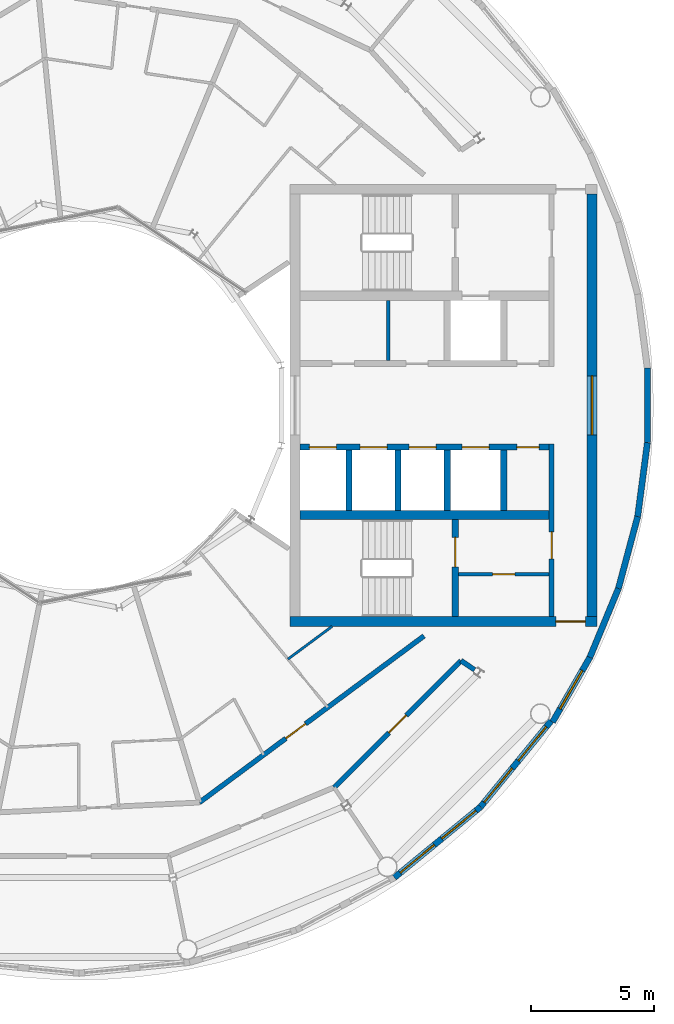
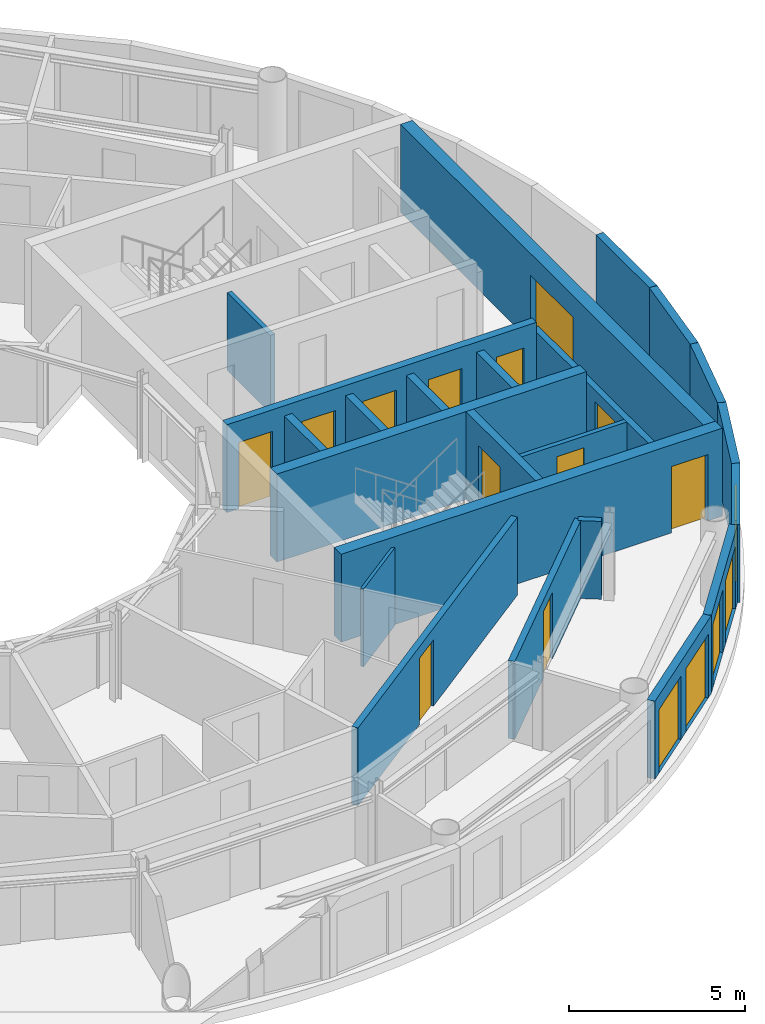
# One storey, part 11 of 17: 23 walls, 15 doors, 2 windows, 17 openings.
"""IFC4 building model written with IfcOpenShell, lengths in metres."""

from ifc_helpers import new_model, si_unit, direction, frame, frame_2d, origin, place, context, subcontext, project, spatial, rectangle, extrude, material, layer, layer_set, type_object, element, fill, save


model = new_model("IFC4")

# Units and contexts
model_context = context("Model", 3, precision=1e-05, world=origin(), true_north=direction((0.0, 1.0)))
body_context = subcontext(model_context, "Body", "Model", "MODEL_VIEW")
ifc_project = project(units=[si_unit("LENGTHUNIT", "METRE"), si_unit("AREAUNIT", "SQUARE_METRE"), si_unit("VOLUMEUNIT", "CUBIC_METRE"), si_unit("PLANEANGLEUNIT", "RADIAN"), si_unit("MASSUNIT", "GRAM", prefix="KILO")], contexts=[model_context])

# Site, building, storey
site_placement = place(None, origin())
site = spatial("IfcSite", under=ifc_project, at=site_placement, CompositionType="ELEMENT")
building_placement = place(site_placement, origin())
building = spatial("IfcBuilding", under=site, at=building_placement, Name="Maasbend Ring Residences", CompositionType="ELEMENT")
storey_placement = place(building_placement, frame((0.0, 0.0, 249.300048828125)))
storey = spatial("IfcBuildingStorey", under=building, at=storey_placement, Name="L72", CompositionType="ELEMENT", Elevation=249.300048828125)

# Wall, openings, doors
ifc_material_1 = material(Name="Concrete C50/60", Category="concrete")
ifc_layer_1 = layer(ifc_material_1, 0.25)
ifc_layer_set_1 = layer_set([ifc_layer_1], Name="Concrete C50/60")
wall_type_1 = type_object("IfcWallType", Name="CORE WALL 250 C50/60", PredefinedType="SHEAR", material=ifc_layer_set_1)
wall_1_placement = place(storey_placement, frame((19.14990234375, -1.699951171875, 0.0), z_axis=(0.0, 0.0, 1.0), x_axis=(-1.0, 0.0, 0.0)))
wall_1 = element("IfcWall", 1, at=wall_1_placement, inside=storey, type_object=wall_type_1, Name="L72 core E wall SPS", PredefinedType="SHEAR", context=body_context, shape_type="SweptSolid", body=[
    extrude(rectangle(XDim=10.14990234375, YDim=0.25, at=frame_2d((5.074951171875, 0.0))), origin(), (0.0, 0.0, 1.0), 3.050048828125),
])
opening_1_placement = place(wall_1_placement, frame((8.66259765625, 0.0, 0.0)))
opening_1 = element("IfcOpeningElement", 2, at=opening_1_placement, cuts=wall_1, Name="Opening LD-E7202", PredefinedType="OPENING", context=body_context, shape_type="SweptSolid", body=[
    extrude(rectangle(XDim=1.10009765625, YDim=2.300048828125, at=frame_2d((0.550048828125, 1.14990234375))), frame((0.0, 0.135009765625, 0.0), z_axis=(0.0, -1.0, 0.0), x_axis=(1.0, 0.0, 0.0)), (0.0, 0.0, 1.0), 0.27001953125),
])
opening_2_placement = place(wall_1_placement, frame((6.60009765625, 0.0, 0.0)))
opening_2 = element("IfcOpeningElement", 3, at=opening_2_placement, cuts=wall_1, Name="Opening LD-E7203", PredefinedType="OPENING", context=body_context, shape_type="SweptSolid", body=[
    extrude(rectangle(XDim=1.10009765625, YDim=2.300048828125, at=frame_2d((0.550048828125, 1.14990234375))), frame((0.0, 0.135009765625, 0.0), z_axis=(0.0, -1.0, 0.0), x_axis=(1.0, 0.0, 0.0)), (0.0, 0.0, 1.0), 0.27001953125),
])
opening_3_placement = place(wall_1_placement, frame((4.60009765625, 0.0, 0.0)))
opening_3 = element("IfcOpeningElement", 4, at=opening_3_placement, cuts=wall_1, Name="Opening LD-E7204", PredefinedType="OPENING", context=body_context, shape_type="SweptSolid", body=[
    extrude(rectangle(XDim=1.10009765625, YDim=2.300048828125, at=frame_2d((0.550048828125, 1.14990234375))), frame((0.0, 0.135009765625, 0.0), z_axis=(0.0, -1.0, 0.0), x_axis=(1.0, 0.0, 0.0)), (0.0, 0.0, 1.0), 0.27001953125),
])
opening_4_placement = place(wall_1_placement, frame((2.449951171875, 0.0, 0.0)))
opening_4 = element("IfcOpeningElement", 5, at=opening_4_placement, cuts=wall_1, Name="Opening LD-E7205", PredefinedType="OPENING", context=body_context, shape_type="SweptSolid", body=[
    extrude(rectangle(XDim=1.10009765625, YDim=2.300048828125, at=frame_2d((0.550048828125, 1.14990234375))), frame((0.0, 0.135009765625, 0.0), z_axis=(0.0, -1.0, 0.0), x_axis=(1.0, 0.0, 0.0)), (0.0, 0.0, 1.0), 0.27001953125),
])
opening_5_placement = place(wall_1_placement, frame((0.41259765625, 0.0, 0.0)))
opening_5 = element("IfcOpeningElement", 6, at=opening_5_placement, cuts=wall_1, Name="Opening D-E7209", PredefinedType="OPENING", context=body_context, shape_type="SweptSolid", body=[
    extrude(rectangle(XDim=0.89990234375, YDim=2.300048828125, at=frame_2d((0.449951171875, 1.14990234375))), frame((0.0, 0.135009765625, 0.0), z_axis=(0.0, -1.0, 0.0), x_axis=(1.0, 0.0, 0.0)), (0.0, 0.0, 1.0), 0.27001953125),
])
ifc_material_2 = material(Name="Stainless steel 316", Category="steel")
door_type_1 = type_object("IfcDoorType", Name="LANDING DOOR 1100 X 2300 FD60", OperationType="DOUBLE_DOOR_SLIDING", PredefinedType="DOOR", material=ifc_material_2)
door_1_placement = place(opening_1_placement, origin())
door_1 = element("IfcDoor", 7, at=door_1_placement, inside=storey, type_object=door_type_1, Name="Landing door HR-E1 L72", OperationType="DOUBLE_DOOR_SLIDING", OverallHeight=2.300048828125, OverallWidth=1.10009765625, PredefinedType="DOOR", context=body_context, shape_type="SweptSolid", body=[
    extrude(rectangle(XDim=1.10009765625, YDim=2.300048828125, at=frame_2d((0.550048828125, 1.14990234375))), frame((0.0, 0.02490234375, 0.0), z_axis=(0.0, -1.0, 0.0), x_axis=(1.0, 0.0, 0.0)), (0.0, 0.0, 1.0), 0.050048828125),
])
fill(opening_1, door_1)
door_2_placement = place(opening_2_placement, origin())
door_2 = element("IfcDoor", 8, at=door_2_placement, inside=storey, type_object=door_type_1, Name="Landing door HR-E2 L72", OperationType="DOUBLE_DOOR_SLIDING", OverallHeight=2.300048828125, OverallWidth=1.10009765625, PredefinedType="DOOR", context=body_context, shape_type="SweptSolid", body=[
    extrude(rectangle(XDim=1.10009765625, YDim=2.300048828125, at=frame_2d((0.550048828125, 1.14990234375))), frame((0.0, 0.02490234375, 0.0), z_axis=(0.0, -1.0, 0.0), x_axis=(1.0, 0.0, 0.0)), (0.0, 0.0, 1.0), 0.050048828125),
])
fill(opening_2, door_2)
door_3_placement = place(opening_3_placement, origin())
door_3 = element("IfcDoor", 9, at=door_3_placement, inside=storey, type_object=door_type_1, Name="Landing door HR-E3 L72", OperationType="DOUBLE_DOOR_SLIDING", OverallHeight=2.300048828125, OverallWidth=1.10009765625, PredefinedType="DOOR", context=body_context, shape_type="SweptSolid", body=[
    extrude(rectangle(XDim=1.10009765625, YDim=2.300048828125, at=frame_2d((0.550048828125, 1.14990234375))), frame((0.0, 0.02490234375, 0.0), z_axis=(0.0, -1.0, 0.0), x_axis=(1.0, 0.0, 0.0)), (0.0, 0.0, 1.0), 0.050048828125),
])
fill(opening_3, door_3)
door_4_placement = place(opening_4_placement, origin())
door_4 = element("IfcDoor", 10, at=door_4_placement, inside=storey, type_object=door_type_1, Name="Landing door SV-E L72", OperationType="DOUBLE_DOOR_SLIDING", OverallHeight=2.300048828125, OverallWidth=1.10009765625, PredefinedType="DOOR", context=body_context, shape_type="SweptSolid", body=[
    extrude(rectangle(XDim=1.10009765625, YDim=2.300048828125, at=frame_2d((0.550048828125, 1.14990234375))), frame((0.0, 0.02490234375, 0.0), z_axis=(0.0, -1.0, 0.0), x_axis=(1.0, 0.0, 0.0)), (0.0, 0.0, 1.0), 0.050048828125),
])
fill(opening_4, door_4)
ifc_material_3 = material(Name="Steel, powder coated", Category="steel")
door_type_2 = type_object("IfcDoorType", Name="ROOM DOOR 900 X 2300 FD30S", OperationType="NOTDEFINED", PredefinedType="DOOR", material=ifc_material_3)
door_5_placement = place(opening_5_placement, origin())
door_5 = element("IfcDoor", 11, at=door_5_placement, inside=storey, type_object=door_type_2, Name="Room door L72", OperationType="SINGLE_SWING_RIGHT", OverallHeight=2.300048828125, OverallWidth=0.89990234375, PredefinedType="DOOR", context=body_context, shape_type="SweptSolid", body=[
    extrude(rectangle(XDim=0.89990234375, YDim=2.300048828125, at=frame_2d((0.449951171875, 1.14990234375))), frame((0.0, 0.02490234375, 0.0), z_axis=(0.0, -1.0, 0.0), x_axis=(1.0, 0.0, 0.0)), (0.0, 0.0, 1.0), 0.050048828125),
])
fill(opening_5, door_5)

# Wall, opening, door
wall_2_placement = place(storey_placement, frame((15.324951171875, -8.60009765625, 0.0), z_axis=(0.0, 0.0, 1.0), x_axis=(0.0, 1.0, 0.0)))
wall_2 = element("IfcWall", 12, at=wall_2_placement, inside=storey, type_object=wall_type_1, Name="L72 core E wall STES", PredefinedType="SHEAR", context=body_context, shape_type="SweptSolid", body=[
    extrude(rectangle(XDim=3.9501953125, YDim=0.25, at=frame_2d((1.97509765625, 0.0))), origin(), (0.0, 0.0, 1.0), 3.050048828125),
])
opening_6_placement = place(wall_2_placement, frame((2.02490234375, 0.0, 0.0)))
opening_6 = element("IfcOpeningElement", 13, at=opening_6_placement, cuts=wall_2, Name="Opening D-E7212", PredefinedType="OPENING", context=body_context, shape_type="SweptSolid", body=[
    extrude(rectangle(XDim=1.199951171875, YDim=2.300048828125, at=frame_2d((0.60009765625, 1.14990234375))), frame((0.0, 0.135009765625, 0.0), z_axis=(0.0, -1.0, 0.0), x_axis=(1.0, 0.0, 0.0)), (0.0, 0.0, 1.0), 0.27001953125),
])
ifc_material_4 = material(Name="Steel, powder coated", Category="steel")
door_type_3 = type_object("IfcDoorType", Name="STAIR DOOR 1200 X 2300 FD60", OperationType="NOTDEFINED", PredefinedType="DOOR", material=ifc_material_4)
door_6_placement = place(opening_6_placement, origin())
door_6 = element("IfcDoor", 14, at=door_6_placement, inside=storey, type_object=door_type_3, Name="Stair door ST-E L72", OperationType="SINGLE_SWING_LEFT", OverallHeight=2.300048828125, OverallWidth=1.199951171875, PredefinedType="DOOR", context=body_context, shape_type="SweptSolid", body=[
    extrude(rectangle(XDim=1.199951171875, YDim=2.300048828125, at=frame_2d((0.60009765625, 1.14990234375))), frame((0.0, 0.02490234375, 0.0), z_axis=(0.0, -1.0, 0.0), x_axis=(1.0, 0.0, 0.0)), (0.0, 0.0, 1.0), 0.050048828125),
])
fill(opening_6, door_6)

# Wall
ifc_material_5 = material(Name="Concrete C50/60", Category="concrete")
ifc_layer_2 = layer(ifc_material_5, 0.375)
ifc_layer_set_2 = layer_set([ifc_layer_2], Name="Concrete C50/60")
wall_type_2 = type_object("IfcWallType", Name="CORE WALL 375 C50/60", PredefinedType="SHEAR", material=ifc_layer_set_2)
wall_3_placement = place(storey_placement, frame((9.0, -4.46240234375, 0.0), z_axis=(0.0, 0.0, 1.0), x_axis=(1.0, 0.0, 0.0)))
element("IfcWall", 15, at=wall_3_placement, inside=storey, type_object=wall_type_2, Name="L72 core E wall BS", PredefinedType="SHEAR", context=body_context, shape_type="SweptSolid", body=[
    extrude(rectangle(XDim=10.14990234375, YDim=0.375, at=frame_2d((5.074951171875, 0.0))), origin(), (0.0, 0.0, 1.0), 3.050048828125),
])

# Wall, opening, door
ifc_material_6 = material(Name="Concrete C50/60", Category="concrete")
ifc_layer_3 = layer(ifc_material_6, 0.39990234375)
ifc_layer_set_3 = layer_set([ifc_layer_3], Name="Concrete C50/60")
wall_type_3 = type_object("IfcWallType", Name="CORE WALL 400 C50/60", PredefinedType="SHEAR", material=ifc_layer_set_3)
wall_4_placement = place(storey_placement, frame((8.60009765625, -8.800048828125, 0.0), z_axis=(0.0, 0.0, 1.0), x_axis=(1.0, 0.0, 0.0)))
wall_4 = element("IfcWall", 16, at=wall_4_placement, inside=storey, type_object=wall_type_3, Name="L72 core E wall PS", PredefinedType="SHEAR", context=body_context, shape_type="SweptSolid", body=[
    extrude(rectangle(XDim=12.5, YDim=0.39990234375, at=frame_2d((6.25, 0.0))), origin(), (0.0, 0.0, 1.0), 3.050048828125),
])
opening_7_placement = place(wall_4_placement, frame((10.824951171875, 0.0, 0.0)))
opening_7 = element("IfcOpeningElement", 17, at=opening_7_placement, cuts=wall_4, Name="Opening D-E7216", PredefinedType="OPENING", context=body_context, shape_type="SweptSolid", body=[
    extrude(rectangle(XDim=1.199951171875, YDim=2.300048828125, at=frame_2d((0.60009765625, 1.14990234375))), frame((0.0, 0.2099609375, 0.0), z_axis=(0.0, -1.0, 0.0), x_axis=(1.0, 0.0, 0.0)), (0.0, 0.0, 1.0), 0.419921875),
])
ifc_material_7 = material(Name="Steel, powder coated", Category="steel")
door_type_4 = type_object("IfcDoorType", Name="CORRIDOR DOOR 1200 X 2300 FD30S", OperationType="NOTDEFINED", PredefinedType="DOOR", material=ifc_material_7)
door_7_placement = place(opening_7_placement, origin())
door_7 = element("IfcDoor", 18, at=door_7_placement, inside=storey, type_object=door_type_4, Name="Corridor door L72", OperationType="SINGLE_SWING_LEFT", OverallHeight=2.300048828125, OverallWidth=1.199951171875, PredefinedType="DOOR", context=body_context, shape_type="SweptSolid", body=[
    extrude(rectangle(XDim=1.199951171875, YDim=2.300048828125, at=frame_2d((0.60009765625, 1.14990234375))), frame((0.0, 0.02490234375, 0.0), z_axis=(0.0, -1.0, 0.0), x_axis=(1.0, 0.0, 0.0)), (0.0, 0.0, 1.0), 0.050048828125),
])
fill(opening_7, door_7)

# Wall, opening, window
wall_5_placement = place(storey_placement, frame((20.89990234375, -8.60009765625, 0.0), z_axis=(0.0, 0.0, 1.0), x_axis=(0.0, 1.0, 0.0)))
wall_5 = element("IfcWall", 19, at=wall_5_placement, inside=storey, type_object=wall_type_3, Name="L72 core E wall POUT", PredefinedType="SHEAR", context=body_context, shape_type="SweptSolid", body=[
    extrude(rectangle(XDim=17.2001953125, YDim=0.39990234375, at=frame_2d((8.60009765625, 0.0))), origin(), (0.0, 0.0, 1.0), 3.050048828125),
])
opening_8_placement = place(wall_5_placement, frame((7.39990234375, 0.0, 0.10009765625)))
opening_8 = element("IfcOpeningElement", 20, at=opening_8_placement, cuts=wall_5, Name="Opening W-E7202", PredefinedType="OPENING", context=body_context, shape_type="SweptSolid", body=[
    extrude(rectangle(XDim=2.39990234375, YDim=2.199951171875, at=frame_2d((1.199951171875, 1.10009765625))), frame((0.0, 0.2099609375, 0.0), z_axis=(0.0, -1.0, 0.0), x_axis=(1.0, 0.0, 0.0)), (0.0, 0.0, 1.0), 0.419921875),
])
ifc_material_8 = material(Name="Aluminium frame and clear glass", Category="aluminium")
window_type_1 = type_object("IfcWindowType", Name="FIXED WINDOW 2400 X 2200", PartitioningType="SINGLE_PANEL", PredefinedType="WINDOW", material=ifc_material_8)
window_1_placement = place(opening_8_placement, origin())
window_1 = element("IfcWindow", 21, at=window_1_placement, inside=storey, type_object=window_type_1, Name="Lobby window L72", OverallHeight=2.199951171875, OverallWidth=2.39990234375, PartitioningType="SINGLE_PANEL", PredefinedType="WINDOW", context=body_context, shape_type="SweptSolid", body=[
    extrude(rectangle(XDim=2.39990234375, YDim=2.199951171875, at=frame_2d((1.199951171875, 1.10009765625))), frame((0.0, 0.030029296875, 0.0), z_axis=(0.0, -1.0, 0.0), x_axis=(1.0, 0.0, 0.0)), (0.0, 0.0, 1.0), 0.06005859375),
])
fill(opening_8, window_1)

# Wall, opening, door
ifc_material_9 = material(Name="Concrete C30/37", Category="concrete")
ifc_layer_4 = layer(ifc_material_9, 0.199951171875)
ifc_layer_set_4 = layer_set([ifc_layer_4], Name="Concrete C30/37")
wall_type_4 = type_object("IfcWallType", Name="CORRIDOR WALL 200 CONCRETE", PredefinedType="PARTITIONING", material=ifc_layer_set_4)
wall_6_placement = place(storey_placement, frame((10.39501953125, -15.556884765625, 0.0), z_axis=(0.0, 0.0, 1.0), x_axis=(0.707106781187, 0.707106781187, 0.0)))
wall_6 = element("IfcWall", 22, at=wall_6_placement, inside=storey, type_object=wall_type_4, Name="U-L72-w004", PredefinedType="PARTITIONING", context=body_context, shape_type="SweptSolid", body=[
    extrude(rectangle(XDim=7.300048828125, YDim=0.199951171875, at=frame_2d((3.64990234375, 0.0))), origin(), (0.0, 0.0, 1.0), 2.699951171875),
])
opening_9_placement = place(wall_6_placement, frame((3.14990234375, 0.0, 0.0)))
opening_9 = element("IfcOpeningElement", 23, at=opening_9_placement, cuts=wall_6, Name="Opening D-7210", PredefinedType="OPENING", context=body_context, shape_type="SweptSolid", body=[
    extrude(rectangle(XDim=1.0, YDim=2.300048828125, at=frame_2d((0.5, 1.14990234375))), frame((0.0, 0.10986328125, 0.0), z_axis=(0.0, -1.0, 0.0), x_axis=(1.0, 0.0, 0.0)), (0.0, 0.0, 1.0), 0.219970703125),
])
ifc_material_10 = material(Name="Timber, painted", Category="wood")
door_type_5 = type_object("IfcDoorType", Name="ROOM DOOR 1000 X 2300", OperationType="NOTDEFINED", PredefinedType="DOOR", material=ifc_material_10)
door_8_placement = place(opening_9_placement, origin())
door_8 = element("IfcDoor", 24, at=door_8_placement, inside=storey, type_object=door_type_5, Name="D-7210", OperationType="SINGLE_SWING_LEFT", OverallHeight=2.300048828125, OverallWidth=1.0, PredefinedType="DOOR", context=body_context, shape_type="SweptSolid", body=[
    extrude(rectangle(XDim=1.0, YDim=2.300048828125, at=frame_2d((0.5, 1.14990234375))), frame((0.0, 0.02490234375, 0.0), z_axis=(0.0, -1.0, 0.0), x_axis=(1.0, 0.0, 0.0)), (0.0, 0.0, 1.0), 0.050048828125),
])
fill(opening_9, door_8)

wall_7_placement = place(storey_placement, frame((4.906005859375, -16.172119140625, 0.0), z_axis=(0.0, 0.0, 1.0), x_axis=(0.803204584823, 0.59570327758, 0.0)))
wall_7 = element("IfcWall", 25, at=wall_7_placement, inside=storey, type_object=wall_type_4, Name="U-L72-w007", PredefinedType="PARTITIONING", context=body_context, shape_type="SweptSolid", body=[
    extrude(rectangle(XDim=11.386962890625, YDim=0.199951171875, at=frame_2d((5.693359375, 0.0))), origin(), (0.0, 0.0, 1.0), 2.699951171875),
])
opening_10_placement = place(wall_7_placement, frame((4.3798828125, 0.0, 0.0)))
opening_10 = element("IfcOpeningElement", 26, at=opening_10_placement, cuts=wall_7, Name="Opening D-7230", PredefinedType="OPENING", context=body_context, shape_type="SweptSolid", body=[
    extrude(rectangle(XDim=1.0, YDim=2.300048828125, at=frame_2d((0.5, 1.14990234375))), frame((0.0, 0.10986328125, 0.0), z_axis=(0.0, -1.0, 0.0), x_axis=(1.0, 0.0, 0.0)), (0.0, 0.0, 1.0), 0.219970703125),
])
ifc_material_11 = material(Name="Timber, fire-rated, painted", Category="wood")
door_type_6 = type_object("IfcDoorType", Name="FLAT ENTRANCE DOOR 1000 X 2300 FIRE-RATED", OperationType="NOTDEFINED", PredefinedType="DOOR", material=ifc_material_11)
door_9_placement = place(opening_10_placement, origin())
door_9 = element("IfcDoor", 27, at=door_9_placement, inside=storey, type_object=door_type_6, Name="D-7230", OperationType="SINGLE_SWING_LEFT", OverallHeight=2.300048828125, OverallWidth=1.0, PredefinedType="DOOR", context=body_context, shape_type="SweptSolid", body=[
    extrude(rectangle(XDim=1.0, YDim=2.300048828125, at=frame_2d((0.5, 1.14990234375))), frame((0.0, 0.02490234375, 0.0), z_axis=(0.0, -1.0, 0.0), x_axis=(1.0, 0.0, 0.0)), (0.0, 0.0, 1.0), 0.050048828125),
])
fill(opening_10, door_9)

# Wall
wall_8_placement = place(storey_placement, frame((15.556884765625, -10.39501953125, 0.0), z_axis=(0.0, 0.0, 1.0), x_axis=(0.831601508083, -0.555372786292, 0.0)))
element("IfcWall", 28, at=wall_8_placement, inside=storey, type_object=wall_type_4, Name="U-L72-w053", PredefinedType="PARTITIONING", context=body_context, shape_type="SweptSolid", body=[
    extrude(rectangle(XDim=0.669921875, YDim=0.199951171875, at=frame_2d((0.3349609375, 0.0))), origin(), (0.0, 0.0, 1.0), 2.699951171875),
])

# Wall, openings, doors
ifc_material_12 = material(Name="Aluminium clad insulated panel", Category="aluminium")
ifc_layer_5 = layer(ifc_material_12, 0.25)
ifc_layer_set_5 = layer_set([ifc_layer_5], Name="EW-GL")
wall_type_5 = type_object("IfcWallType", Name="EW-GL", PredefinedType="SOLIDWALL", material=ifc_layer_set_5)
wall_9_placement = place(storey_placement, frame((12.847900390625, -19.22802734375, 0.0), z_axis=(0.0, 0.0, 1.0), x_axis=(0.772989395532, 0.634418942337, 0.0)))
wall_9 = element("IfcWall", 29, at=wall_9_placement, inside=storey, type_object=wall_type_5, Name="External wall S09", PredefinedType="SOLIDWALL", context=body_context, shape_type="SweptSolid", body=[
    extrude(rectangle(XDim=4.533203125, YDim=0.25, at=frame_2d((2.2666015625, 0.0))), origin(), (0.0, 0.0, 1.0), 2.699951171875),
])
opening_11_placement = place(wall_9_placement, frame((0.300048828125, 0.0, 0.0)))
opening_11 = element("IfcOpeningElement", 30, at=opening_11_placement, cuts=wall_9, Name="Opening D-TR", PredefinedType="OPENING", context=body_context, shape_type="SweptSolid", body=[
    extrude(rectangle(XDim=1.800048828125, YDim=2.199951171875, at=frame_2d((0.89990234375, 1.10009765625))), frame((0.0, 0.135009765625, 0.0), z_axis=(0.0, -1.0, 0.0), x_axis=(1.0, 0.0, 0.0)), (0.0, 0.0, 1.0), 0.27001953125),
])
opening_12_placement = place(wall_9_placement, frame((2.497314453125, 0.0, 0.0)))
opening_12 = element("IfcOpeningElement", 31, at=opening_12_placement, cuts=wall_9, Name="Opening D-TR", PredefinedType="OPENING", context=body_context, shape_type="SweptSolid", body=[
    extrude(rectangle(XDim=1.800048828125, YDim=2.199951171875, at=frame_2d((0.89990234375, 1.10009765625))), frame((0.0, 0.135009765625, 0.0), z_axis=(0.0, -1.0, 0.0), x_axis=(1.0, 0.0, 0.0)), (0.0, 0.0, 1.0), 0.27001953125),
])
ifc_material_13 = material(Name="Aluminium and clear glass", Category="aluminium")
door_type_7 = type_object("IfcDoorType", Name="D-TR", OperationType="DOUBLE_DOOR_SINGLE_SWING", PredefinedType="DOOR", material=ifc_material_13)
door_10_placement = place(opening_11_placement, origin())
door_10 = element("IfcDoor", 32, at=door_10_placement, inside=storey, type_object=door_type_7, Name="Terrace door S17", OperationType="SINGLE_SWING_LEFT", OverallHeight=2.199951171875, OverallWidth=1.800048828125, PredefinedType="DOOR", context=body_context, shape_type="SweptSolid", body=[
    extrude(rectangle(XDim=1.800048828125, YDim=2.199951171875, at=frame_2d((0.89990234375, 1.10009765625))), frame((0.0, 0.02490234375, 0.0), z_axis=(0.0, -1.0, 0.0), x_axis=(1.0, 0.0, 0.0)), (0.0, 0.0, 1.0), 0.050048828125),
])
fill(opening_11, door_10)
door_11_placement = place(opening_12_placement, origin())
door_11 = element("IfcDoor", 33, at=door_11_placement, inside=storey, type_object=door_type_7, Name="Terrace door S18", OperationType="SINGLE_SWING_LEFT", OverallHeight=2.199951171875, OverallWidth=1.800048828125, PredefinedType="DOOR", context=body_context, shape_type="SweptSolid", body=[
    extrude(rectangle(XDim=1.800048828125, YDim=2.199951171875, at=frame_2d((0.89990234375, 1.10009765625))), frame((0.0, 0.02490234375, 0.0), z_axis=(0.0, -1.0, 0.0), x_axis=(1.0, 0.0, 0.0)), (0.0, 0.0, 1.0), 0.050048828125),
])
fill(opening_12, door_11)

wall_10_placement = place(storey_placement, frame((16.35205078125, -16.35205078125, 0.0), z_axis=(0.0, 0.0, 1.0), x_axis=(0.634418942337, 0.772989395532, 0.0)))
wall_10 = element("IfcWall", 34, at=wall_10_placement, inside=storey, type_object=wall_type_5, Name="External wall S10", PredefinedType="SOLIDWALL", context=body_context, shape_type="SweptSolid", body=[
    extrude(rectangle(XDim=4.533203125, YDim=0.25, at=frame_2d((2.2666015625, 0.0))), origin(), (0.0, 0.0, 1.0), 2.699951171875),
])
opening_13_placement = place(wall_10_placement, frame((0.236083984375, 0.0, 0.0)))
opening_13 = element("IfcOpeningElement", 35, at=opening_13_placement, cuts=wall_10, Name="Opening D-TR", PredefinedType="OPENING", context=body_context, shape_type="SweptSolid", body=[
    extrude(rectangle(XDim=1.800048828125, YDim=2.199951171875, at=frame_2d((0.89990234375, 1.10009765625))), frame((0.0, 0.135009765625, 0.0), z_axis=(0.0, -1.0, 0.0), x_axis=(1.0, 0.0, 0.0)), (0.0, 0.0, 1.0), 0.27001953125),
])
opening_14_placement = place(wall_10_placement, frame((2.4267578125, 0.0, 0.0)))
opening_14 = element("IfcOpeningElement", 36, at=opening_14_placement, cuts=wall_10, Name="Opening D-TR", PredefinedType="OPENING", context=body_context, shape_type="SweptSolid", body=[
    extrude(rectangle(XDim=1.800048828125, YDim=2.199951171875, at=frame_2d((0.89990234375, 1.10009765625))), frame((0.0, 0.135009765625, 0.0), z_axis=(0.0, -1.0, 0.0), x_axis=(1.0, 0.0, 0.0)), (0.0, 0.0, 1.0), 0.27001953125),
])
door_12_placement = place(opening_13_placement, origin())
door_12 = element("IfcDoor", 37, at=door_12_placement, inside=storey, type_object=door_type_7, Name="Terrace door S19", OperationType="SINGLE_SWING_LEFT", OverallHeight=2.199951171875, OverallWidth=1.800048828125, PredefinedType="DOOR", context=body_context, shape_type="SweptSolid", body=[
    extrude(rectangle(XDim=1.800048828125, YDim=2.199951171875, at=frame_2d((0.89990234375, 1.10009765625))), frame((0.0, 0.02490234375, 0.0), z_axis=(0.0, -1.0, 0.0), x_axis=(1.0, 0.0, 0.0)), (0.0, 0.0, 1.0), 0.050048828125),
])
fill(opening_13, door_12)
door_13_placement = place(opening_14_placement, origin())
door_13 = element("IfcDoor", 38, at=door_13_placement, inside=storey, type_object=door_type_7, Name="Terrace door S20", OperationType="SINGLE_SWING_LEFT", OverallHeight=2.199951171875, OverallWidth=1.800048828125, PredefinedType="DOOR", context=body_context, shape_type="SweptSolid", body=[
    extrude(rectangle(XDim=1.800048828125, YDim=2.199951171875, at=frame_2d((0.89990234375, 1.10009765625))), frame((0.0, 0.02490234375, 0.0), z_axis=(0.0, -1.0, 0.0), x_axis=(1.0, 0.0, 0.0)), (0.0, 0.0, 1.0), 0.050048828125),
])
fill(opening_14, door_13)

# Wall, opening, window
ifc_material_14 = material(Name="Aluminium clad insulated panel", Category="aluminium")
ifc_layer_6 = layer(ifc_material_14, 0.25)
ifc_layer_set_6 = layer_set([ifc_layer_6], Name="EW-HORN")
wall_type_6 = type_object("IfcWallType", Name="EW-HORN", PredefinedType="SOLIDWALL", material=ifc_layer_set_6)
wall_11_placement = place(storey_placement, frame((19.2900390625, -12.888916015625, 0.0), z_axis=(0.0, 0.0, 1.0), x_axis=(0.499903546559, 0.866081084043, 0.0)))
wall_11 = element("IfcWall", 39, at=wall_11_placement, inside=storey, type_object=wall_type_6, Name="Horn wall 1.1", PredefinedType="SOLIDWALL", context=body_context, shape_type="SweptSolid", body=[
    extrude(rectangle(XDim=3.0341796875, YDim=0.25, at=frame_2d((1.51708984375, 0.0))), origin(), (0.0, 0.0, 1.0), 2.699951171875),
])
opening_15_placement = place(wall_11_placement, frame((0.617431640625, 0.0, 0.300048828125)))
opening_15 = element("IfcOpeningElement", 40, at=opening_15_placement, cuts=wall_11, Name="Opening W-BX", PredefinedType="OPENING", context=body_context, shape_type="SweptSolid", body=[
    extrude(rectangle(XDim=1.800048828125, YDim=2.10009765625, at=frame_2d((0.89990234375, 1.050048828125))), frame((0.0, 0.135009765625, 0.0), z_axis=(0.0, -1.0, 0.0), x_axis=(1.0, 0.0, 0.0)), (0.0, 0.0, 1.0), 0.27001953125),
])
ifc_material_15 = material(Name="Aluminium and clear glass", Category="aluminium")
window_type_2 = type_object("IfcWindowType", Name="W-BX", PartitioningType="DOUBLE_PANEL_VERTICAL", PredefinedType="WINDOW", material=ifc_material_15)
window_2_placement = place(opening_15_placement, origin())
window_2 = element("IfcWindow", 41, at=window_2_placement, inside=storey, type_object=window_type_2, Name="Horn window 1.1", OverallHeight=2.10009765625, OverallWidth=1.800048828125, PartitioningType="SINGLE_PANEL", PredefinedType="WINDOW", context=body_context, shape_type="SweptSolid", body=[
    extrude(rectangle(XDim=1.800048828125, YDim=2.10009765625, at=frame_2d((0.89990234375, 1.050048828125))), frame((0.0, 0.030029296875, 0.0), z_axis=(0.0, -1.0, 0.0), x_axis=(1.0, 0.0, 0.0)), (0.0, 0.0, 1.0), 0.06005859375),
])
fill(opening_15, window_2)

# Walls
ifc_material_16 = material(Name="Louvred aluminium panel", Category="aluminium")
ifc_layer_7 = layer(ifc_material_16, 0.25)
ifc_layer_set_7 = layer_set([ifc_layer_7], Name="EW-LV")
wall_type_7 = type_object("IfcWallType", Name="EW-LV", PredefinedType="SOLIDWALL", material=ifc_layer_set_7)
wall_12_placement = place(storey_placement, frame((20.806884765625, -10.260986328125, 0.0), z_axis=(0.0, 0.0, 1.0), x_axis=(0.382872724993, 0.923801102216, 0.0)))
element("IfcWall", 42, at=wall_12_placement, inside=storey, type_object=wall_type_7, Name="Horn wall 1.2", PredefinedType="SOLIDWALL", context=body_context, shape_type="SweptSolid", body=[
    extrude(rectangle(XDim=3.03515625, YDim=0.25, at=frame_2d((1.517578125, 0.0))), origin(), (0.0, 0.0, 1.0), 2.699951171875),
])
wall_13_placement = place(storey_placement, frame((21.968994140625, -7.45703125, 0.0), z_axis=(0.0, 0.0, 1.0), x_axis=(0.258669057101, 0.965966002972, 0.0)))
element("IfcWall", 43, at=wall_13_placement, inside=storey, type_object=wall_type_7, Name="Horn wall 1.3", PredefinedType="SOLIDWALL", context=body_context, shape_type="SweptSolid", body=[
    extrude(rectangle(XDim=3.034423828125, YDim=0.25, at=frame_2d((1.51708984375, 0.0))), origin(), (0.0, 0.0, 1.0), 2.699951171875),
])
wall_14_placement = place(storey_placement, frame((22.75390625, -4.52587890625, 0.0), z_axis=(0.0, 0.0, 1.0), x_axis=(0.130487809173, 0.991449913842, 0.0)))
element("IfcWall", 44, at=wall_14_placement, inside=storey, type_object=wall_type_7, Name="Horn wall 1.4", PredefinedType="SOLIDWALL", context=body_context, shape_type="SweptSolid", body=[
    extrude(rectangle(XDim=3.03466796875, YDim=0.25, at=frame_2d((1.517333984375, 0.0))), origin(), (0.0, 0.0, 1.0), 2.699951171875),
])
wall_15_placement = place(storey_placement, frame((23.14990234375, -1.51708984375, 0.0), z_axis=(0.0, 0.0, 1.0), x_axis=(0.0, 1.0, 0.0)))
element("IfcWall", 45, at=wall_15_placement, inside=storey, type_object=wall_type_7, Name="Horn wall 1.5", PredefinedType="SOLIDWALL", context=body_context, shape_type="SweptSolid", body=[
    extrude(rectangle(XDim=3.0341796875, YDim=0.25, at=frame_2d((1.51708984375, 0.0))), origin(), (0.0, 0.0, 1.0), 2.699951171875),
])
ifc_material_17 = material(Name="Gypsum board on steel studs", Category="steel")
ifc_layer_8 = layer(ifc_material_17, 0.10009765625)
ifc_layer_set_8 = layer_set([ifc_layer_8], Name="PARTITION 100 GYPSUM")
wall_type_8 = type_object("IfcWallType", Name="PARTITION 100 GYPSUM", PredefinedType="PARTITIONING", material=ifc_layer_set_8)
wall_16_placement = place(storey_placement, frame((8.512939453125, -10.33203125, 0.0), z_axis=(0.0, 0.0, 1.0), x_axis=(0.803224407806, 0.595676548728, 0.0)))
element("IfcWall", 46, at=wall_16_placement, inside=storey, type_object=wall_type_8, Name="U-L72-w012", PredefinedType="PARTITIONING", context=body_context, shape_type="SweptSolid", body=[
    extrude(rectangle(XDim=2.236083984375, YDim=0.10009765625, at=frame_2d((1.1181640625, 0.0))), origin(), (0.0, 0.0, 1.0), 2.699951171875),
])
ifc_material_18 = material(Name="Gypsum board on steel studs", Category="steel")
ifc_layer_9 = layer(ifc_material_18, 0.14990234375)
ifc_layer_set_9 = layer_set([ifc_layer_9], Name="PARTITION 150 EI 60")
wall_type_9 = type_object("IfcWallType", Name="PARTITION 150 EI 60", PredefinedType="PARTITIONING", material=ifc_layer_set_9)
wall_17_placement = place(storey_placement, frame((12.60009765625, 1.824951171875, 0.0), z_axis=(0.0, 0.0, 1.0), x_axis=(0.0, 1.0, 0.0)))
element("IfcWall", 47, at=wall_17_placement, inside=storey, type_object=wall_type_9, Name="L72 core E wall PRN1260", PredefinedType="PARTITIONING", context=body_context, shape_type="SweptSolid", body=[
    extrude(rectangle(XDim=2.449951171875, YDim=0.14990234375, at=frame_2d((1.22509765625, 0.0))), origin(), (0.0, 0.0, 1.0), 2.699951171875),
])

# Wall, opening, door
wall_18_placement = place(storey_placement, frame((15.449951171875, -6.875, 0.0), z_axis=(0.0, 0.0, 1.0), x_axis=(1.0, 0.0, 0.0)))
wall_18 = element("IfcWall", 48, at=wall_18_placement, inside=storey, type_object=wall_type_9, Name="L72 core E wall RHS", PredefinedType="PARTITIONING", context=body_context, shape_type="SweptSolid", body=[
    extrude(rectangle(XDim=3.699951171875, YDim=0.14990234375, at=frame_2d((1.85009765625, 0.0))), origin(), (0.0, 0.0, 1.0), 2.699951171875),
])
opening_16_placement = place(wall_18_placement, frame((1.39990234375, 0.0, 0.0)))
opening_16 = element("IfcOpeningElement", 49, at=opening_16_placement, cuts=wall_18, Name="Opening D-E7210", PredefinedType="OPENING", context=body_context, shape_type="SweptSolid", body=[
    extrude(rectangle(XDim=0.89990234375, YDim=2.300048828125, at=frame_2d((0.449951171875, 1.14990234375))), frame((0.0, 0.0849609375, 0.0), z_axis=(0.0, -1.0, 0.0), x_axis=(1.0, 0.0, 0.0)), (0.0, 0.0, 1.0), 0.169921875),
])
ifc_material_19 = material(Name="Steel, powder coated", Category="steel")
door_type_8 = type_object("IfcDoorType", Name="RISER DOOR 900 X 2300 FD60", OperationType="NOTDEFINED", PredefinedType="DOOR", material=ifc_material_19)
door_14_placement = place(opening_16_placement, origin())
door_14 = element("IfcDoor", 50, at=door_14_placement, inside=storey, type_object=door_type_8, Name="Riser door L72", OperationType="SINGLE_SWING_LEFT", OverallHeight=2.300048828125, OverallWidth=0.89990234375, PredefinedType="DOOR", context=body_context, shape_type="SweptSolid", body=[
    extrude(rectangle(XDim=0.89990234375, YDim=2.300048828125, at=frame_2d((0.449951171875, 1.14990234375))), frame((0.0, 0.02490234375, 0.0), z_axis=(0.0, -1.0, 0.0), x_axis=(1.0, 0.0, 0.0)), (0.0, 0.0, 1.0), 0.050048828125),
])
fill(opening_16, door_14)

ifc_material_20 = material(Name="Concrete C30/37", Category="concrete")
ifc_layer_10 = layer(ifc_material_20, 0.199951171875)
ifc_layer_set_10 = layer_set([ifc_layer_10], Name="Concrete C30/37")
wall_type_10 = type_object("IfcWallType", Name="SHAFT WALL 200 EI 120", PredefinedType="SOLIDWALL", material=ifc_layer_set_10)
wall_19_placement = place(storey_placement, frame((19.25, -8.60009765625, 0.0), z_axis=(0.0, 0.0, 1.0), x_axis=(0.0, 1.0, 0.0)))
wall_19 = element("IfcWall", 51, at=wall_19_placement, inside=storey, type_object=wall_type_10, Name="L72 core E wall ENDS", PredefinedType="SOLIDWALL", context=body_context, shape_type="SweptSolid", body=[
    extrude(rectangle(XDim=7.025146484375, YDim=0.199951171875, at=frame_2d((3.5126953125, 0.0))), origin(), (0.0, 0.0, 1.0), 2.699951171875),
])
opening_17_placement = place(wall_19_placement, frame((2.35009765625, 0.0, 0.0)))
opening_17 = element("IfcOpeningElement", 52, at=opening_17_placement, cuts=wall_19, Name="Opening D-E7214", PredefinedType="OPENING", context=body_context, shape_type="SweptSolid", body=[
    extrude(rectangle(XDim=1.10009765625, YDim=2.300048828125, at=frame_2d((0.550048828125, 1.14990234375))), frame((0.0, 0.10986328125, 0.0), z_axis=(0.0, -1.0, 0.0), x_axis=(1.0, 0.0, 0.0)), (0.0, 0.0, 1.0), 0.219970703125),
])
ifc_material_21 = material(Name="Steel, powder coated", Category="steel")
door_type_9 = type_object("IfcDoorType", Name="LOBBY DOOR 1100 X 2300 FD60", OperationType="NOTDEFINED", PredefinedType="DOOR", material=ifc_material_21)
door_15_placement = place(opening_17_placement, origin())
door_15 = element("IfcDoor", 53, at=door_15_placement, inside=storey, type_object=door_type_9, Name="Lobby door L72", OperationType="SINGLE_SWING_RIGHT", OverallHeight=2.300048828125, OverallWidth=1.10009765625, PredefinedType="DOOR", context=body_context, shape_type="SweptSolid", body=[
    extrude(rectangle(XDim=1.10009765625, YDim=2.300048828125, at=frame_2d((0.550048828125, 1.14990234375))), frame((0.0, 0.02490234375, 0.0), z_axis=(0.0, -1.0, 0.0), x_axis=(1.0, 0.0, 0.0)), (0.0, 0.0, 1.0), 0.050048828125),
])
fill(opening_17, door_15)

# Walls
ifc_material_22 = material(Name="Concrete C30/37", Category="concrete")
ifc_layer_11 = layer(ifc_material_22, 0.25)
ifc_layer_set_11 = layer_set([ifc_layer_11], Name="Concrete C30/37")
wall_type_11 = type_object("IfcWallType", Name="SHAFT WALL 250 EI 120", PredefinedType="SOLIDWALL", material=ifc_layer_set_11)
for number, where, z_axis, x_axis, name in (
    (54, (15.0, -1.824951171875, 0.0), (0.0, 0.0, 1.0), (0.0, -1.0, 0.0), "L72 core E wall D150S"),
    (55, (17.300048828125, -1.824951171875, 0.0), (0.0, 0.0, 1.0), (0.0, -1.0, 0.0), "L72 core E wall D173S"),
    (56, (11.0, -1.824951171875, 0.0), (0.0, 0.0, 1.0), (0.0, -1.0, 0.0), "L72 core E wall D110S"),
    (57, (13.0, -1.824951171875, 0.0), (0.0, 0.0, 1.0), (0.0, -1.0, 0.0), "L72 core E wall D130S"),
):
    element("IfcWall", number, at=place(storey_placement, frame(where, z_axis=z_axis, x_axis=x_axis)), inside=storey, type_object=wall_type_11, Name=name, PredefinedType="SOLIDWALL", context=body_context, shape_type="SweptSolid", body=[
        extrude(rectangle(XDim=2.449951171875, YDim=0.25, at=frame_2d((1.22509765625, 0.0))), origin(), (0.0, 0.0, 1.0), 2.699951171875),
    ])

save(model, "model.ifc")
